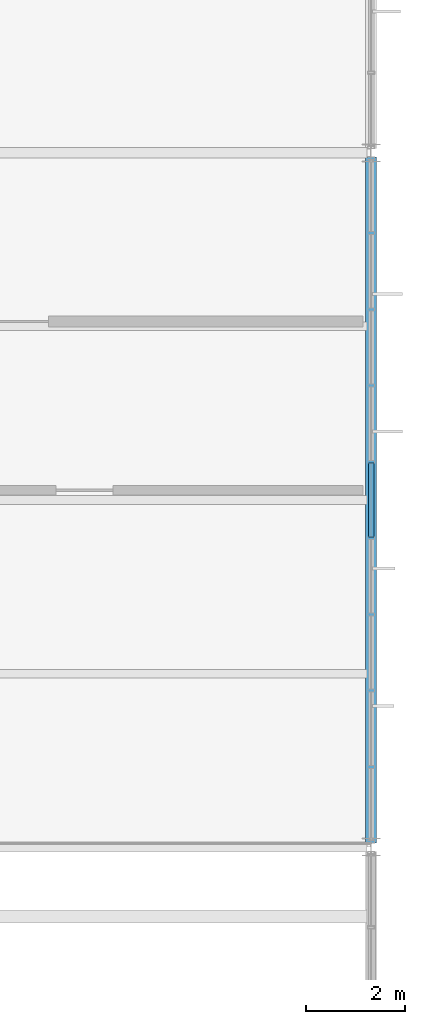
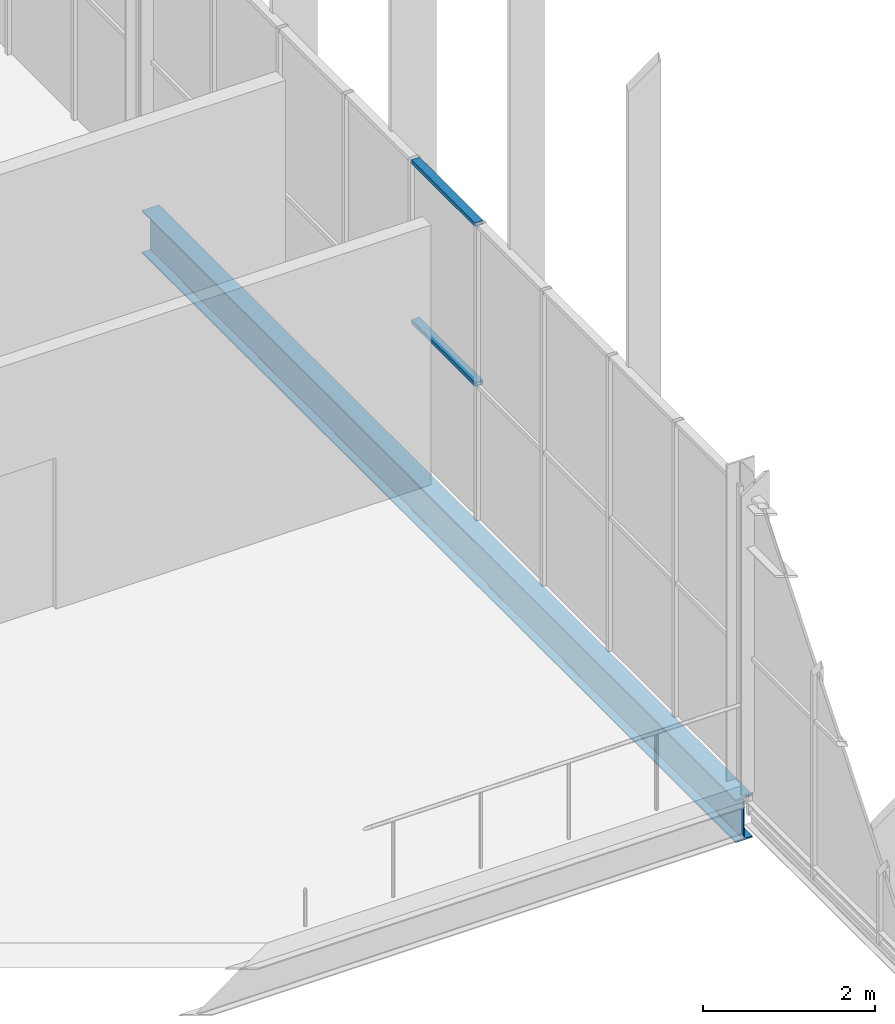
# One storey, part 203 of 324: 3 members, 1 beam, 1 element without a shape of its own.
"""IFC4 building model written with IfcOpenShell, lengths in metres."""

from ifc_helpers import new_model, si_unit, direction, frame, origin, origin_2d, place, context, subcontext, project, spatial, hollow_rectangle, i_section, extrude, material, layer, layer_set, material_profile, profile_set, type_object, element, aggregate, save


model = new_model("IFC4")

# Units and contexts
model_context = context("Model", 3, precision=1e-05, world=origin(), true_north=direction((0.0, 1.0)))
body_context = subcontext(model_context, "Body", "Model", "MODEL_VIEW")
ifc_project = project(units=[si_unit("LENGTHUNIT", "METRE"), si_unit("AREAUNIT", "SQUARE_METRE"), si_unit("VOLUMEUNIT", "CUBIC_METRE"), si_unit("PLANEANGLEUNIT", "RADIAN"), si_unit("MASSUNIT", "GRAM", prefix="KILO")], contexts=[model_context])

# Site, building, storey
site_placement = place(None, origin())
site = spatial("IfcSite", under=ifc_project, at=site_placement, CompositionType="ELEMENT")
building_placement = place(site_placement, origin())
building = spatial("IfcBuilding", under=site, at=building_placement, Name="Solvenia Promenade Tram Depot", CompositionType="ELEMENT")
storey_placement = place(building_placement, frame((0.0, 0.0, 4.5)))
storey = spatial("IfcBuildingStorey", under=building, at=storey_placement, Name="L01", CompositionType="ELEMENT", Elevation=4.5)

# Curtain wall, members
ifc_material_1 = material(Name="Anodized aluminium AW-6063 T6", Category="aluminium")
ifc_layer = layer(ifc_material_1, 0.080078125, Name="Anodized aluminium AW-6063 T6", Category="aluminium")
ifc_layer_set = layer_set([ifc_layer], Name="Anodized aluminium AW-6063 T6")
curtain_wall_type = type_object("IfcCurtainWallType", Name="CW-Clerest-1500", PredefinedType="NOTDEFINED", material=ifc_layer_set)
curtain_wall_placement = place(storey_placement, origin())
curtain_wall = element("IfcCurtainWall", 1, at=curtain_wall_placement, inside=storey, type_object=curtain_wall_type, Name="Curtain Wall CW-V2E-L1-2", PredefinedType="NOTDEFINED")
ifc_material_profile_1 = material_profile(ifc_material_1, hollow_rectangle(XDim=0.110107421875, YDim=0.054931640625, WallThickness=0.00390625, at=origin_2d()), Name="ALU-T4", Category="aluminium")
ifc_profile_set_1 = profile_set([ifc_material_profile_1], Name="Anodized aluminium AW-6063 T6")
member_type = type_object("IfcMemberType", Name="CWT-Transom-4", PredefinedType="USERDEFINED", material=ifc_profile_set_1)
member_1_placement = place(storey_placement, frame((186.0, 44.258544921875, -0.322509765625), z_axis=(0.0, 1.0, 0.0), x_axis=(-1.0, 0.0, 0.0)))
member_1 = element("IfcMember", 2, at=member_1_placement, type_object=member_type, Name="CW-4 transom 5.1", ObjectType="TRANSOM", PredefinedType="USERDEFINED", context=body_context, shape_type="SweptSolid", body=[
    extrude(hollow_rectangle(XDim=0.110107421875, YDim=0.054931640625, WallThickness=0.00390625, at=origin_2d()), origin(), (0.0, 0.0, 1.0), 1.48291015625),
])
member_2_placement = place(storey_placement, frame((186.0, 44.258544921875, 1.89990234375), z_axis=(0.0, 1.0, 0.0), x_axis=(-1.0, 0.0, 0.0)))
member_2 = element("IfcMember", 3, at=member_2_placement, type_object=member_type, Name="CW-4 transom 5.2", ObjectType="TRANSOM", PredefinedType="USERDEFINED", context=body_context, shape_type="SweptSolid", body=[
    extrude(hollow_rectangle(XDim=0.110107421875, YDim=0.054931640625, WallThickness=0.00390625, at=origin_2d()), origin(), (0.0, 0.0, 1.0), 1.48291015625),
])
member_3_placement = place(storey_placement, frame((186.0, 44.258544921875, 4.172607421875), z_axis=(0.0, 1.0, 0.0), x_axis=(-1.0, 0.0, 0.0)))
member_3 = element("IfcMember", 4, at=member_3_placement, type_object=member_type, Name="CW-4 transom 5.3", ObjectType="TRANSOM", PredefinedType="USERDEFINED", context=body_context, shape_type="SweptSolid", body=[
    extrude(hollow_rectangle(XDim=0.110107421875, YDim=0.054931640625, WallThickness=0.00390625, at=origin_2d()), origin(), (0.0, 0.0, 1.0), 1.48291015625),
])
aggregate(curtain_wall, [member_1, member_2, member_3])

# Beam
ifc_material_2 = material(Name="Structural steel ASTM A992 Gr. 50", Category="steel")
ifc_material_profile_2 = material_profile(ifc_material_2, i_section(OverallWidth=0.22900390625, OverallDepth=0.612060546875, WebThickness=0.011962890625, FlangeThickness=0.01953125, FilletRadius=0.014892578125, at=origin_2d()), Name="W610x125", Category="steel")
ifc_profile_set_2 = profile_set([ifc_material_profile_2], Name="Structural steel ASTM A992 Gr. 50")
beam_type = type_object("IfcBeamType", Name="Gird-W610x125", PredefinedType="BEAM", material=ifc_profile_set_2)
beam_placement = place(storey_placement, frame((186.0, 38.0849609375, -0.5458984375), z_axis=(0.0, 1.0, 0.0), x_axis=(-1.0, 0.0, 0.0)))
element("IfcBeam", 5, at=beam_placement, inside=storey, type_object=beam_type, Name="Transverse Girder BM-L01-0159", PredefinedType="BEAM", context=body_context, shape_type="SweptSolid", body=[
    extrude(i_section(OverallWidth=0.22900390625, OverallDepth=0.612060546875, WebThickness=0.011962890625, FlangeThickness=0.01953125, FilletRadius=0.014892578125, at=origin_2d()), origin(), (0.0, 0.0, 1.0), 13.830078125),
])

save(model, "model.ifc")
